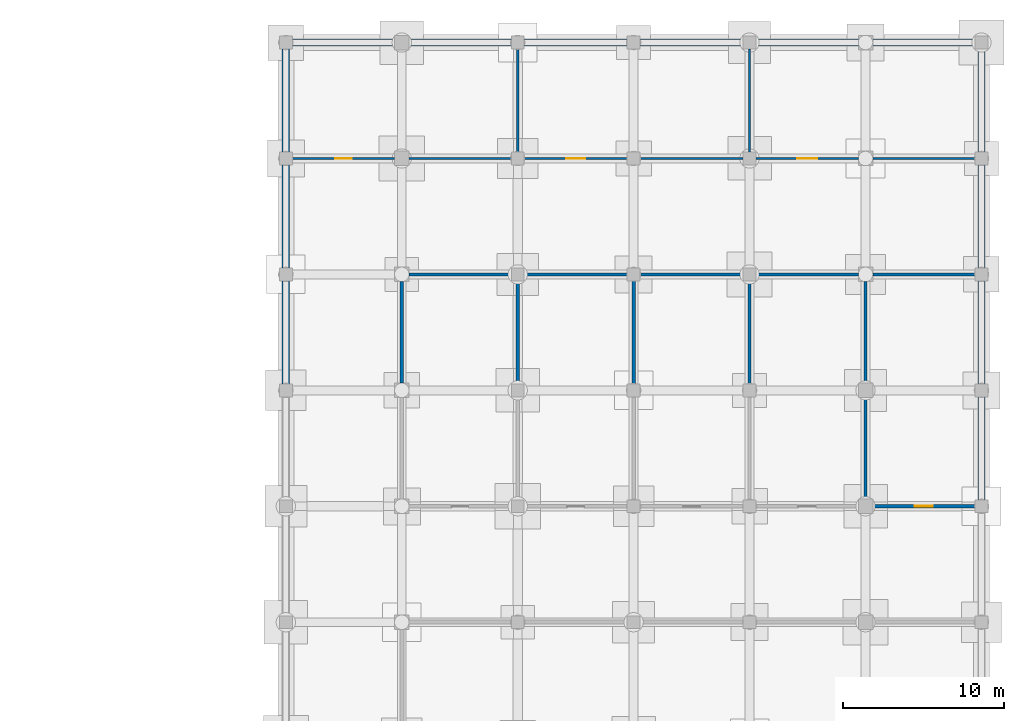
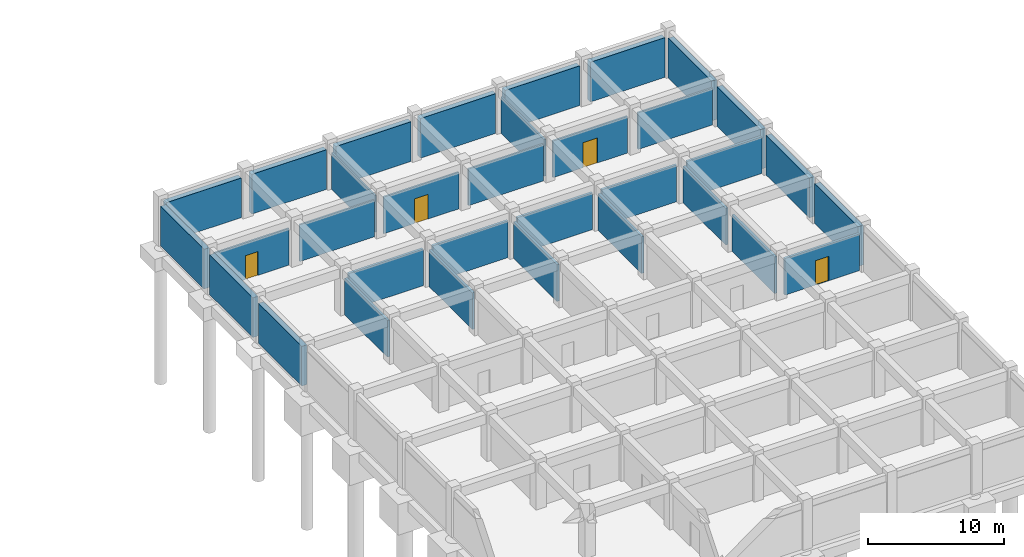
# One storey, part 23 of 25: 33 walls, 4 doors, 4 openings.
"""IFC4 building model written with IfcOpenShell, lengths in metres."""

from ifc_helpers import new_model, si_unit, direction, frame, frame_2d, origin, place, context, subcontext, project, spatial, rectangle, extrude, material, layer, layer_set, type_object, element, fill, save


model = new_model("IFC4")

# Units and contexts
model_context = context("Model", 3, precision=1e-05, world=origin(), true_north=direction((0.0, 1.0)))
body_context = subcontext(model_context, "Body", "Model", "MODEL_VIEW")
ifc_project = project(units=[si_unit("LENGTHUNIT", "METRE"), si_unit("AREAUNIT", "SQUARE_METRE"), si_unit("VOLUMEUNIT", "CUBIC_METRE"), si_unit("PLANEANGLEUNIT", "RADIAN"), si_unit("MASSUNIT", "GRAM", prefix="KILO")], contexts=[model_context])

# Site, building, storey
site_placement = place(None, origin())
site = spatial("IfcSite", under=ifc_project, at=site_placement, CompositionType="ELEMENT")
building_placement = place(site_placement, origin())
building = spatial("IfcBuilding", under=site, at=building_placement, Name="Cendaluz Park School", CompositionType="ELEMENT")
storey_placement = place(building_placement, frame((0.0, 0.0, -4.5)))
storey = spatial("IfcBuildingStorey", under=building, at=storey_placement, Name="B1", CompositionType="ELEMENT", Elevation=-4.5)

# Walls
ifc_material_1 = material(Name="Gypsum Plasterboard on Cold-Formed Stud", Category="gypsum")
ifc_layer_1 = layer(ifc_material_1, 0.199951171875)
ifc_layer_set_1 = layer_set([ifc_layer_1], Name="Gypsum Plasterboard on Cold-Formed Stud")
wall_type_1 = type_object("IfcWallType", Name="W-AC20", PredefinedType="PARTITIONING", material=ifc_layer_set_1)
wall_1_placement = place(storey_placement, frame((137.25, 100.800048828125, 0.0), z_axis=(0.0, 0.0, 1.0), x_axis=(1.0, 0.0, 0.0)))
element("IfcWall", 1, at=wall_1_placement, inside=storey, type_object=wall_type_1, Name="WL-BA-CE0", PredefinedType="PARTITIONING", context=body_context, shape_type="SweptSolid", body=[
    extrude(rectangle(XDim=6.35009765625, YDim=0.199951171875, at=frame_2d((3.175048828125, 0.0))), origin(), (0.0, 0.0, 1.0), 3.300048828125),
])
wall_2_placement = place(storey_placement, frame((136.800048828125, 94.050048828125, 0.0), z_axis=(0.0, 0.0, 1.0), x_axis=(0.0, 1.0, 0.0)))
element("IfcWall", 2, at=wall_2_placement, inside=storey, type_object=wall_type_1, Name="WL-BA-CE1", PredefinedType="PARTITIONING", context=body_context, shape_type="SweptSolid", body=[
    extrude(rectangle(XDim=6.300048828125, YDim=0.199951171875, at=frame_2d((3.14990234375, 0.0))), origin(), (0.0, 0.0, 1.0), 3.300048828125),
])
wall_3_placement = place(storey_placement, frame((144.0, 94.0, 0.0), z_axis=(0.0, 0.0, 1.0), x_axis=(0.0, 1.0, 0.0)))
element("IfcWall", 3, at=wall_3_placement, inside=storey, type_object=wall_type_1, Name="WL-BA-CE2", PredefinedType="PARTITIONING", context=body_context, shape_type="SweptSolid", body=[
    extrude(rectangle(XDim=6.39990234375, YDim=0.199951171875, at=frame_2d((3.199951171875, 0.0))), origin(), (0.0, 0.0, 1.0), 3.300048828125),
])
wall_4_placement = place(storey_placement, frame((144.39990234375, 100.800048828125, 0.0), z_axis=(0.0, 0.0, 1.0), x_axis=(1.0, 0.0, 0.0)))
element("IfcWall", 4, at=wall_4_placement, inside=storey, type_object=wall_type_1, Name="WL-BA-CE5", PredefinedType="PARTITIONING", context=body_context, shape_type="SweptSolid", body=[
    extrude(rectangle(XDim=6.400146484375, YDim=0.199951171875, at=frame_2d((3.2001953125, 0.0))), origin(), (0.0, 0.0, 1.0), 3.300048828125),
])
for number, where, z_axis, x_axis, name in (
    (5, (151.199951171875, 94.0, 0.0), (0.0, 0.0, 1.0), (0.0, 1.0, 0.0), "WL-BA-CE6"),
    (6, (151.60009765625, 100.800048828125, 0.0), (0.0, 0.0, 1.0), (1.0, 0.0, 0.0), "WL-BA-CE9"),
    (7, (158.39990234375, 94.0, 0.0), (0.0, 0.0, 1.0), (0.0, 1.0, 0.0), "WL-BA-CF0"),
):
    element("IfcWall", number, at=place(storey_placement, frame(where, z_axis=z_axis, x_axis=x_axis)), inside=storey, type_object=wall_type_1, Name=name, PredefinedType="PARTITIONING", context=body_context, shape_type="SweptSolid", body=[
        extrude(rectangle(XDim=6.39990234375, YDim=0.199951171875, at=frame_2d((3.199951171875, 0.0))), origin(), (0.0, 0.0, 1.0), 3.300048828125),
    ])
wall_5_placement = place(storey_placement, frame((165.60009765625, 86.85009765625, 0.0), z_axis=(0.0, 0.0, 1.0), x_axis=(0.0, 1.0, 0.0)))
element("IfcWall", 8, at=wall_5_placement, inside=storey, type_object=wall_type_1, Name="WL-BA-CF2", PredefinedType="PARTITIONING", context=body_context, shape_type="SweptSolid", body=[
    extrude(rectangle(XDim=6.2998046875, YDim=0.199951171875, at=frame_2d((3.14990234375, 0.0))), origin(), (0.0, 0.0, 1.0), 3.300048828125),
])
wall_6_placement = place(storey_placement, frame((158.800048828125, 100.800048828125, 0.0), z_axis=(0.0, 0.0, 1.0), x_axis=(1.0, 0.0, 0.0)))
element("IfcWall", 9, at=wall_6_placement, inside=storey, type_object=wall_type_1, Name="WL-BA-CF3", PredefinedType="PARTITIONING", context=body_context, shape_type="SweptSolid", body=[
    extrude(rectangle(XDim=6.349853515625, YDim=0.199951171875, at=frame_2d((3.1748046875, 0.0))), origin(), (0.0, 0.0, 1.0), 3.300048828125),
])
wall_7_placement = place(storey_placement, frame((165.60009765625, 94.050048828125, 0.0), z_axis=(0.0, 0.0, 1.0), x_axis=(0.0, 1.0, 0.0)))
element("IfcWall", 10, at=wall_7_placement, inside=storey, type_object=wall_type_1, Name="WL-BA-CF4", PredefinedType="PARTITIONING", context=body_context, shape_type="SweptSolid", body=[
    extrude(rectangle(XDim=6.300048828125, YDim=0.199951171875, at=frame_2d((3.14990234375, 0.0))), origin(), (0.0, 0.0, 1.0), 3.300048828125),
])

# Wall, opening, door
wall_8_placement = place(storey_placement, frame((166.050048828125, 86.39990234375, 0.0), z_axis=(0.0, 0.0, 1.0), x_axis=(1.0, 0.0, 0.0)))
wall_8 = element("IfcWall", 11, at=wall_8_placement, inside=storey, type_object=wall_type_1, Name="WL-BA-CF5", PredefinedType="PARTITIONING", context=body_context, shape_type="SweptSolid", body=[
    extrude(rectangle(XDim=6.349853515625, YDim=0.199951171875, at=frame_2d((3.1748046875, 0.0))), origin(), (0.0, 0.0, 1.0), 3.300048828125),
])
opening_1_placement = place(wall_8_placement, frame((2.614990234375, 0.0, 0.0)))
opening_1 = element("IfcOpeningElement", 12, at=opening_1_placement, cuts=wall_8, Name="Opening DCL-06", PredefinedType="OPENING", context=body_context, shape_type="SweptSolid", body=[
    extrude(rectangle(XDim=1.1201171875, YDim=2.199951171875, at=frame_2d((0.56005859375, 1.10009765625))), frame((0.0, 0.112060546875, 0.0), z_axis=(0.0, -1.0, 0.0), x_axis=(1.0, 0.0, 0.0)), (0.0, 0.0, 1.0), 0.223876953125),
])
ifc_material_2 = material(Name="Solid Core Hardwood", Category="wood")
door_type_1 = type_object("IfcDoorType", Name="DCL-06", OperationType="NOTDEFINED", PredefinedType="DOOR", material=ifc_material_2)
door_1_placement = place(opening_1_placement, origin())
door_1 = element("IfcDoor", 13, at=door_1_placement, inside=storey, type_object=door_type_1, Name="D-B1-050", OperationType="SINGLE_SWING_LEFT", OverallHeight=2.199951171875, OverallWidth=1.1201171875, PredefinedType="DOOR", context=body_context, shape_type="SweptSolid", body=[
    extrude(rectangle(XDim=1.1201171875, YDim=2.199951171875, at=frame_2d((0.56005859375, 1.10009765625))), frame((0.0, 0.02490234375, 0.0), z_axis=(0.0, -1.0, 0.0), x_axis=(1.0, 0.0, 0.0)), (0.0, 0.0, 1.0), 0.050048828125),
])
fill(opening_1, door_1)

# Walls
wall_9_placement = place(storey_placement, frame((166.050048828125, 100.800048828125, 0.0), z_axis=(0.0, 0.0, 1.0), x_axis=(1.0, 0.0, 0.0)))
element("IfcWall", 14, at=wall_9_placement, inside=storey, type_object=wall_type_1, Name="WL-BA-CF6", PredefinedType="PARTITIONING", context=body_context, shape_type="SweptSolid", body=[
    extrude(rectangle(XDim=6.349853515625, YDim=0.199951171875, at=frame_2d((3.1748046875, 0.0))), origin(), (0.0, 0.0, 1.0), 3.300048828125),
])
ifc_material_3 = material(Name="Concrete C40/50", Category="concrete")
ifc_layer_2 = layer(ifc_material_3, 0.449951171875)
ifc_layer_set_2 = layer_set([ifc_layer_2], Name="Concrete C40/50")
wall_type_2 = type_object("IfcWallType", Name="W-RT45", PredefinedType="SOLIDWALL", material=ifc_layer_set_2)
wall_10_placement = place(storey_placement, frame((129.60009765625, 94.0, 0.0), z_axis=(0.0, 0.0, 1.0), x_axis=(0.0, 1.0, 0.0)))
element("IfcWall", 15, at=wall_10_placement, inside=storey, type_object=wall_type_2, Name="WL-BA-AJ2", PredefinedType="SOLIDWALL", context=body_context, shape_type="SweptSolid", body=[
    extrude(rectangle(XDim=6.39990234375, YDim=0.449951171875, at=frame_2d((3.199951171875, 0.0))), origin(), (0.0, 0.0, 1.0), 3.570068359375),
])
wall_11_placement = place(storey_placement, frame((129.60009765625, 101.199951171875, 0.0), z_axis=(0.0, 0.0, 1.0), x_axis=(0.0, 1.0, 0.0)))
element("IfcWall", 16, at=wall_11_placement, inside=storey, type_object=wall_type_2, Name="WL-BA-AJ3", PredefinedType="SOLIDWALL", context=body_context, shape_type="SweptSolid", body=[
    extrude(rectangle(XDim=6.400146484375, YDim=0.449951171875, at=frame_2d((3.2001953125, 0.0))), origin(), (0.0, 0.0, 1.0), 3.570068359375),
])
wall_12_placement = place(storey_placement, frame((130.0, 115.199951171875, 0.0), z_axis=(0.0, 0.0, 1.0), x_axis=(1.0, 0.0, 0.0)))
element("IfcWall", 17, at=wall_12_placement, inside=storey, type_object=wall_type_2, Name="WL-BA-AJ4", PredefinedType="SOLIDWALL", context=body_context, shape_type="SweptSolid", body=[
    extrude(rectangle(XDim=6.35009765625, YDim=0.449951171875, at=frame_2d((3.175048828125, 0.0))), origin(), (0.0, 0.0, 1.0), 3.570068359375),
])
wall_13_placement = place(storey_placement, frame((129.60009765625, 108.39990234375, 0.0), z_axis=(0.0, 0.0, 1.0), x_axis=(0.0, 1.0, 0.0)))
element("IfcWall", 18, at=wall_13_placement, inside=storey, type_object=wall_type_2, Name="WL-BA-AJ5", PredefinedType="SOLIDWALL", context=body_context, shape_type="SweptSolid", body=[
    extrude(rectangle(XDim=6.400146484375, YDim=0.449951171875, at=frame_2d((3.2001953125, 0.0))), origin(), (0.0, 0.0, 1.0), 3.570068359375),
])
wall_14_placement = place(storey_placement, frame((137.25, 115.199951171875, 0.0), z_axis=(0.0, 0.0, 1.0), x_axis=(1.0, 0.0, 0.0)))
element("IfcWall", 19, at=wall_14_placement, inside=storey, type_object=wall_type_2, Name="WL-BA-AJ9", PredefinedType="SOLIDWALL", context=body_context, shape_type="SweptSolid", body=[
    extrude(rectangle(XDim=6.35009765625, YDim=0.449951171875, at=frame_2d((3.175048828125, 0.0))), origin(), (0.0, 0.0, 1.0), 3.570068359375),
])
wall_15_placement = place(storey_placement, frame((144.39990234375, 115.199951171875, 0.0), z_axis=(0.0, 0.0, 1.0), x_axis=(1.0, 0.0, 0.0)))
element("IfcWall", 20, at=wall_15_placement, inside=storey, type_object=wall_type_2, Name="WL-BA-AK3", PredefinedType="SOLIDWALL", context=body_context, shape_type="SweptSolid", body=[
    extrude(rectangle(XDim=6.400146484375, YDim=0.449951171875, at=frame_2d((3.2001953125, 0.0))), origin(), (0.0, 0.0, 1.0), 3.570068359375),
])
wall_16_placement = place(storey_placement, frame((151.60009765625, 115.199951171875, 0.0), z_axis=(0.0, 0.0, 1.0), x_axis=(1.0, 0.0, 0.0)))
element("IfcWall", 21, at=wall_16_placement, inside=storey, type_object=wall_type_2, Name="WL-BA-AK7", PredefinedType="SOLIDWALL", context=body_context, shape_type="SweptSolid", body=[
    extrude(rectangle(XDim=6.39990234375, YDim=0.449951171875, at=frame_2d((3.199951171875, 0.0))), origin(), (0.0, 0.0, 1.0), 3.570068359375),
])
wall_17_placement = place(storey_placement, frame((158.800048828125, 115.199951171875, 0.0), z_axis=(0.0, 0.0, 1.0), x_axis=(1.0, 0.0, 0.0)))
element("IfcWall", 22, at=wall_17_placement, inside=storey, type_object=wall_type_2, Name="WL-BA-AL1", PredefinedType="SOLIDWALL", context=body_context, shape_type="SweptSolid", body=[
    extrude(rectangle(XDim=6.349853515625, YDim=0.449951171875, at=frame_2d((3.1748046875, 0.0))), origin(), (0.0, 0.0, 1.0), 3.570068359375),
])
for number, where, z_axis, x_axis, name in (
    (23, (172.800048828125, 86.800048828125, 0.0), (0.0, 0.0, 1.0), (0.0, 1.0, 0.0), "WL-BA-AM3"),
    (24, (172.800048828125, 94.0, 0.0), (0.0, 0.0, 1.0), (0.0, 1.0, 0.0), "WL-BA-AM4"),
):
    element("IfcWall", number, at=place(storey_placement, frame(where, z_axis=z_axis, x_axis=x_axis)), inside=storey, type_object=wall_type_2, Name=name, PredefinedType="SOLIDWALL", context=body_context, shape_type="SweptSolid", body=[
        extrude(rectangle(XDim=6.39990234375, YDim=0.449951171875, at=frame_2d((3.199951171875, 0.0))), origin(), (0.0, 0.0, 1.0), 3.570068359375),
    ])
wall_18_placement = place(storey_placement, frame((172.800048828125, 101.199951171875, 0.0), z_axis=(0.0, 0.0, 1.0), x_axis=(0.0, 1.0, 0.0)))
element("IfcWall", 25, at=wall_18_placement, inside=storey, type_object=wall_type_2, Name="WL-BA-AM5", PredefinedType="SOLIDWALL", context=body_context, shape_type="SweptSolid", body=[
    extrude(rectangle(XDim=6.400146484375, YDim=0.449951171875, at=frame_2d((3.2001953125, 0.0))), origin(), (0.0, 0.0, 1.0), 3.570068359375),
])
wall_19_placement = place(storey_placement, frame((166.050048828125, 115.199951171875, 0.0), z_axis=(0.0, 0.0, 1.0), x_axis=(1.0, 0.0, 0.0)))
element("IfcWall", 26, at=wall_19_placement, inside=storey, type_object=wall_type_2, Name="WL-BA-AM6", PredefinedType="SOLIDWALL", context=body_context, shape_type="SweptSolid", body=[
    extrude(rectangle(XDim=6.349853515625, YDim=0.449951171875, at=frame_2d((3.1748046875, 0.0))), origin(), (0.0, 0.0, 1.0), 3.570068359375),
])
wall_20_placement = place(storey_placement, frame((172.800048828125, 108.39990234375, 0.0), z_axis=(0.0, 0.0, 1.0), x_axis=(0.0, 1.0, 0.0)))
element("IfcWall", 27, at=wall_20_placement, inside=storey, type_object=wall_type_2, Name="WL-BA-AM7", PredefinedType="SOLIDWALL", context=body_context, shape_type="SweptSolid", body=[
    extrude(rectangle(XDim=6.400146484375, YDim=0.449951171875, at=frame_2d((3.2001953125, 0.0))), origin(), (0.0, 0.0, 1.0), 3.570068359375),
])

# Wall, opening, door
ifc_layer_3 = layer(ifc_material_1, 0.139892578125)
ifc_layer_set_3 = layer_set([ifc_layer_3], Name="Gypsum Plasterboard on Cold-Formed Stud")
wall_type_3 = type_object("IfcWallType", Name="W-ST14", PredefinedType="PARTITIONING", material=ifc_layer_set_3)
wall_21_placement = place(storey_placement, frame((130.0, 108.0, 0.0), z_axis=(0.0, 0.0, 1.0), x_axis=(1.0, 0.0, 0.0)))
wall_21 = element("IfcWall", 28, at=wall_21_placement, inside=storey, type_object=wall_type_3, Name="WL-BA-CP4", PredefinedType="PARTITIONING", context=body_context, shape_type="SweptSolid", body=[
    extrude(rectangle(XDim=6.35009765625, YDim=0.139892578125, at=frame_2d((3.175048828125, 0.0))), origin(), (0.0, 0.0, 1.0), 3.300048828125),
])
opening_2_placement = place(wall_21_placement, frame((2.655029296875, 0.0, 0.0)))
opening_2 = element("IfcOpeningElement", 29, at=opening_2_placement, cuts=wall_21, Name="Opening DCL-03", PredefinedType="OPENING", context=body_context, shape_type="SweptSolid", body=[
    extrude(rectangle(XDim=1.0400390625, YDim=2.139892578125, at=frame_2d((0.52001953125, 1.06982421875))), frame((0.0, 0.08203125, 0.0), z_axis=(0.0, -1.0, 0.0), x_axis=(1.0, 0.0, 0.0)), (0.0, 0.0, 1.0), 0.163818359375),
])
door_type_2 = type_object("IfcDoorType", Name="DCL-03", OperationType="NOTDEFINED", PredefinedType="DOOR", material=ifc_material_2)
door_2_placement = place(opening_2_placement, origin())
door_2 = element("IfcDoor", 30, at=door_2_placement, inside=storey, type_object=door_type_2, Name="D-B1-087", OperationType="SINGLE_SWING_RIGHT", OverallHeight=2.139892578125, OverallWidth=1.0400390625, PredefinedType="DOOR", context=body_context, shape_type="SweptSolid", body=[
    extrude(rectangle(XDim=1.0400390625, YDim=2.139892578125, at=frame_2d((0.52001953125, 1.06982421875))), frame((0.0, 0.02490234375, 0.0), z_axis=(0.0, -1.0, 0.0), x_axis=(1.0, 0.0, 0.0)), (0.0, 0.0, 1.0), 0.050048828125),
])
fill(opening_2, door_2)

# Walls
wall_22_placement = place(storey_placement, frame((137.25, 108.0, 0.0), z_axis=(0.0, 0.0, 1.0), x_axis=(1.0, 0.0, 0.0)))
element("IfcWall", 31, at=wall_22_placement, inside=storey, type_object=wall_type_3, Name="WL-BA-CP5", PredefinedType="PARTITIONING", context=body_context, shape_type="SweptSolid", body=[
    extrude(rectangle(XDim=6.35009765625, YDim=0.139892578125, at=frame_2d((3.175048828125, 0.0))), origin(), (0.0, 0.0, 1.0), 3.300048828125),
])
wall_23_placement = place(storey_placement, frame((144.0, 108.39990234375, 0.0), z_axis=(0.0, 0.0, 1.0), x_axis=(0.0, 1.0, 0.0)))
element("IfcWall", 32, at=wall_23_placement, inside=storey, type_object=wall_type_3, Name="WL-BA-CP6", PredefinedType="PARTITIONING", context=body_context, shape_type="SweptSolid", body=[
    extrude(rectangle(XDim=6.400146484375, YDim=0.139892578125, at=frame_2d((3.2001953125, 0.0))), origin(), (0.0, 0.0, 1.0), 3.300048828125),
])

# Wall, opening, door
wall_24_placement = place(storey_placement, frame((144.39990234375, 108.0, 0.0), z_axis=(0.0, 0.0, 1.0), x_axis=(1.0, 0.0, 0.0)))
wall_24 = element("IfcWall", 33, at=wall_24_placement, inside=storey, type_object=wall_type_3, Name="WL-BA-CQ5", PredefinedType="PARTITIONING", context=body_context, shape_type="SweptSolid", body=[
    extrude(rectangle(XDim=6.400146484375, YDim=0.139892578125, at=frame_2d((3.2001953125, 0.0))), origin(), (0.0, 0.0, 1.0), 3.300048828125),
])
opening_3_placement = place(wall_24_placement, frame((2.6201171875, 0.0, 0.0)))
opening_3 = element("IfcOpeningElement", 34, at=opening_3_placement, cuts=wall_24, Name="Opening DCL-07", PredefinedType="OPENING", context=body_context, shape_type="SweptSolid", body=[
    extrude(rectangle(XDim=1.159912109375, YDim=2.219970703125, at=frame_2d((0.580078125, 1.10986328125))), frame((0.0, 0.08203125, 0.0), z_axis=(0.0, -1.0, 0.0), x_axis=(1.0, 0.0, 0.0)), (0.0, 0.0, 1.0), 0.163818359375),
])
door_type_3 = type_object("IfcDoorType", Name="DCL-07", OperationType="NOTDEFINED", PredefinedType="DOOR", material=ifc_material_2)
door_3_placement = place(opening_3_placement, origin())
door_3 = element("IfcDoor", 35, at=door_3_placement, inside=storey, type_object=door_type_3, Name="D-B1-091", OperationType="SINGLE_SWING_RIGHT", OverallHeight=2.219970703125, OverallWidth=1.159912109375, PredefinedType="DOOR", context=body_context, shape_type="SweptSolid", body=[
    extrude(rectangle(XDim=1.159912109375, YDim=2.219970703125, at=frame_2d((0.580078125, 1.10986328125))), frame((0.0, 0.02490234375, 0.0), z_axis=(0.0, -1.0, 0.0), x_axis=(1.0, 0.0, 0.0)), (0.0, 0.0, 1.0), 0.050048828125),
])
fill(opening_3, door_3)

# Walls
wall_25_placement = place(storey_placement, frame((151.60009765625, 108.0, 0.0), z_axis=(0.0, 0.0, 1.0), x_axis=(1.0, 0.0, 0.0)))
element("IfcWall", 36, at=wall_25_placement, inside=storey, type_object=wall_type_3, Name="WL-BA-CQ6", PredefinedType="PARTITIONING", context=body_context, shape_type="SweptSolid", body=[
    extrude(rectangle(XDim=6.39990234375, YDim=0.139892578125, at=frame_2d((3.199951171875, 0.0))), origin(), (0.0, 0.0, 1.0), 3.300048828125),
])
wall_26_placement = place(storey_placement, frame((158.39990234375, 108.39990234375, 0.0), z_axis=(0.0, 0.0, 1.0), x_axis=(0.0, 1.0, 0.0)))
element("IfcWall", 37, at=wall_26_placement, inside=storey, type_object=wall_type_3, Name="WL-BA-CQ7", PredefinedType="PARTITIONING", context=body_context, shape_type="SweptSolid", body=[
    extrude(rectangle(XDim=6.400146484375, YDim=0.139892578125, at=frame_2d((3.2001953125, 0.0))), origin(), (0.0, 0.0, 1.0), 3.300048828125),
])

# Wall, opening, door
wall_27_placement = place(storey_placement, frame((158.800048828125, 108.0, 0.0), z_axis=(0.0, 0.0, 1.0), x_axis=(1.0, 0.0, 0.0)))
wall_27 = element("IfcWall", 38, at=wall_27_placement, inside=storey, type_object=wall_type_3, Name="WL-BA-CR0", PredefinedType="PARTITIONING", context=body_context, shape_type="SweptSolid", body=[
    extrude(rectangle(XDim=6.349853515625, YDim=0.139892578125, at=frame_2d((3.1748046875, 0.0))), origin(), (0.0, 0.0, 1.0), 3.300048828125),
])
opening_4_placement = place(wall_27_placement, frame((2.554931640625, 0.0, 0.0)))
opening_4 = element("IfcOpeningElement", 39, at=opening_4_placement, cuts=wall_27, Name="Opening DCL-09", PredefinedType="OPENING", context=body_context, shape_type="SweptSolid", body=[
    extrude(rectangle(XDim=1.239990234375, YDim=2.260009765625, at=frame_2d((0.6201171875, 1.1298828125))), frame((0.0, 0.08203125, 0.0), z_axis=(0.0, -1.0, 0.0), x_axis=(1.0, 0.0, 0.0)), (0.0, 0.0, 1.0), 0.163818359375),
])
door_type_4 = type_object("IfcDoorType", Name="DCL-09", OperationType="NOTDEFINED", PredefinedType="DOOR", material=ifc_material_2)
door_4_placement = place(opening_4_placement, origin())
door_4 = element("IfcDoor", 40, at=door_4_placement, inside=storey, type_object=door_type_4, Name="D-B1-093", OperationType="SINGLE_SWING_RIGHT", OverallHeight=2.260009765625, OverallWidth=1.239990234375, PredefinedType="DOOR", context=body_context, shape_type="SweptSolid", body=[
    extrude(rectangle(XDim=1.239990234375, YDim=2.260009765625, at=frame_2d((0.6201171875, 1.1298828125))), frame((0.0, 0.02490234375, 0.0), z_axis=(0.0, -1.0, 0.0), x_axis=(1.0, 0.0, 0.0)), (0.0, 0.0, 1.0), 0.050048828125),
])
fill(opening_4, door_4)

# Wall
wall_28_placement = place(storey_placement, frame((166.050048828125, 108.0, 0.0), z_axis=(0.0, 0.0, 1.0), x_axis=(1.0, 0.0, 0.0)))
element("IfcWall", 41, at=wall_28_placement, inside=storey, type_object=wall_type_3, Name="WL-BA-CR1", PredefinedType="PARTITIONING", context=body_context, shape_type="SweptSolid", body=[
    extrude(rectangle(XDim=6.349853515625, YDim=0.139892578125, at=frame_2d((3.1748046875, 0.0))), origin(), (0.0, 0.0, 1.0), 3.300048828125),
])

save(model, "model.ifc")
